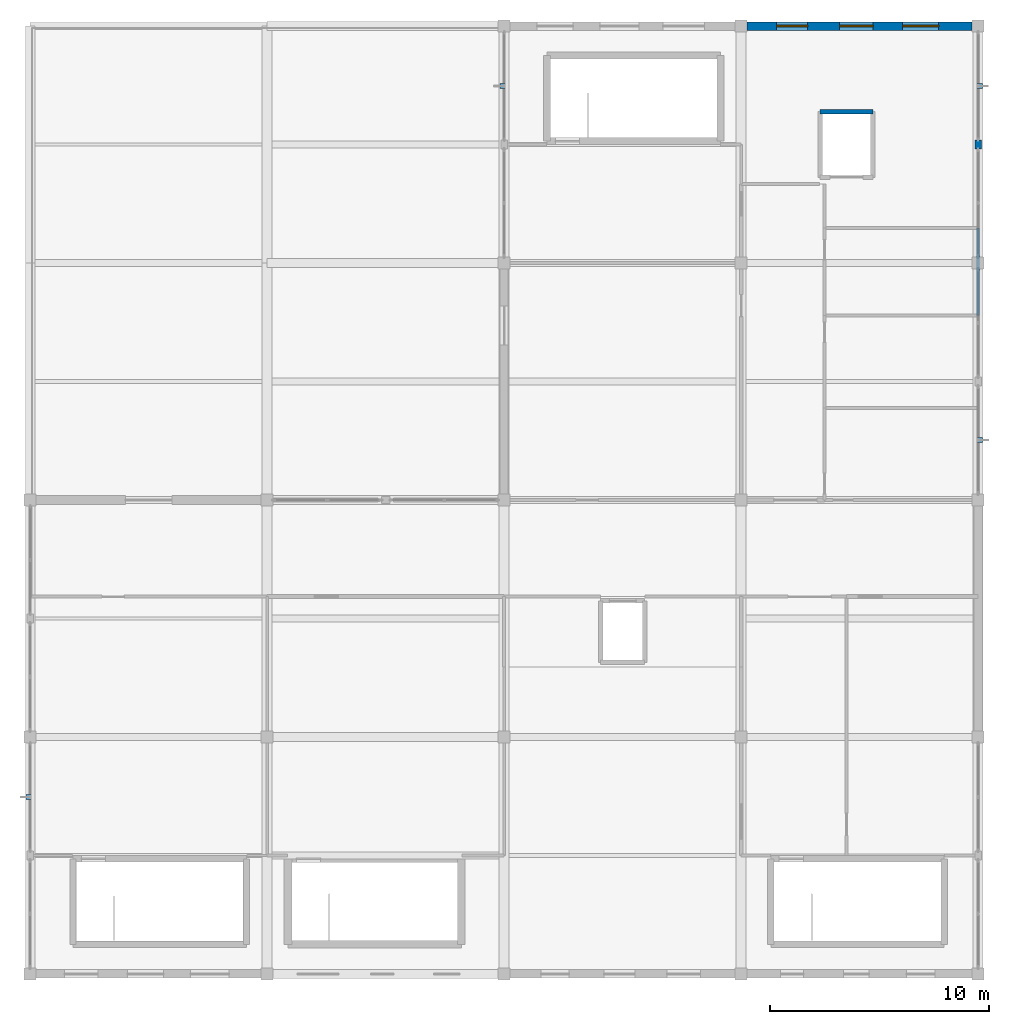
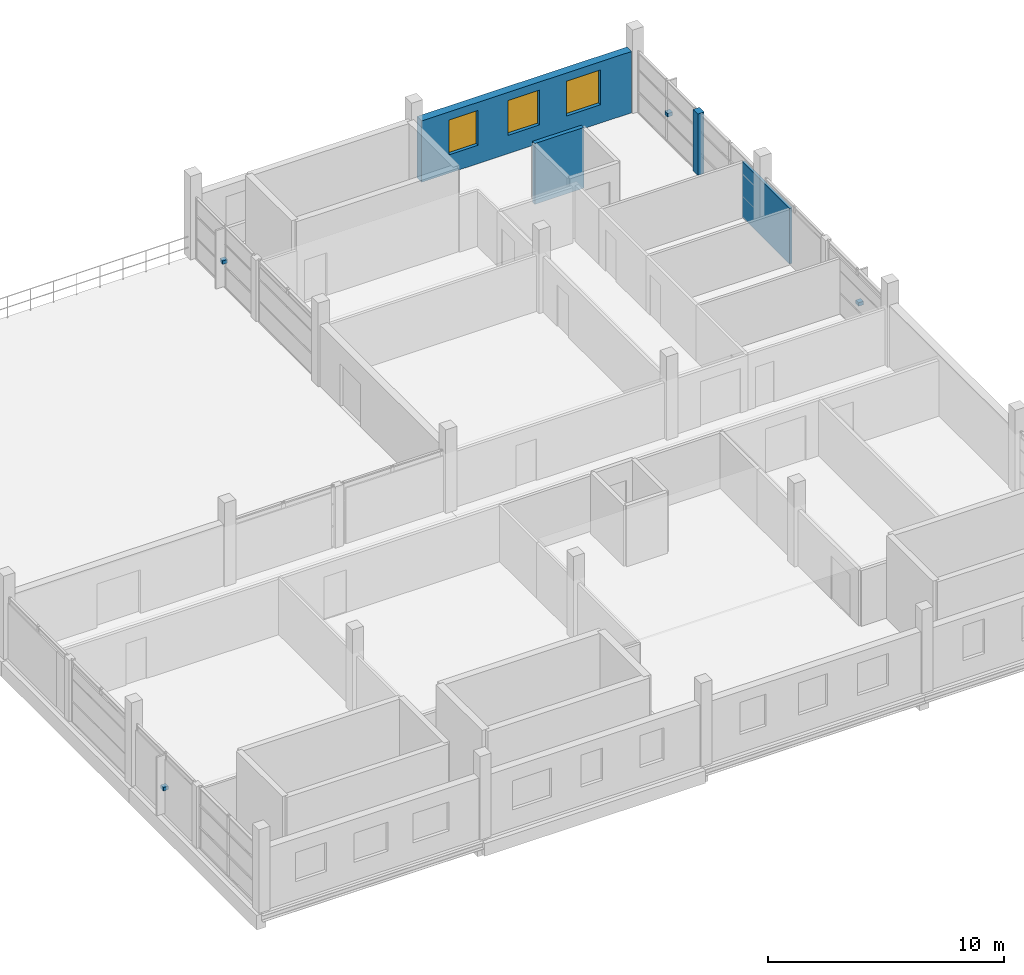
# One storey, part 14 of 15: 4 discrete accessories, 4 walls, 3 windows, 3 openings.
"""IFC4 building model written with IfcOpenShell, lengths in metres."""

from ifc_helpers import new_model, si_unit, direction, frame, frame_2d, origin, origin_2d, place, context, subcontext, project, spatial, rectangle, extrude, material, layer, layer_set, type_object, element, fill, save


model = new_model("IFC4")

# Units and contexts
model_context = context("Model", 3, precision=1e-05, world=origin(), true_north=direction((0.0, 1.0)))
body_context = subcontext(model_context, "Body", "Model", "MODEL_VIEW")
ifc_project = project(units=[si_unit("LENGTHUNIT", "METRE"), si_unit("AREAUNIT", "SQUARE_METRE"), si_unit("VOLUMEUNIT", "CUBIC_METRE"), si_unit("PLANEANGLEUNIT", "RADIAN"), si_unit("MASSUNIT", "GRAM", prefix="KILO")], contexts=[model_context])

# Site, building, storey
site_placement = place(None, origin())
site = spatial("IfcSite", under=ifc_project, at=site_placement, CompositionType="ELEMENT")
building_placement = place(site_placement, origin())
building = spatial("IfcBuilding", under=site, at=building_placement, Name="Zwinboog Wholesale Market", CompositionType="ELEMENT")
storey_placement = place(building_placement, frame((0.0, 0.0, 14.760009765625)))
storey = spatial("IfcBuildingStorey", under=building, at=storey_placement, Name="L03", CompositionType="ELEMENT", Elevation=14.760009765625)

# Wall, openings, windows
ifc_material_1 = material(Name="Precast concrete C45/55", Category="concrete")
ifc_layer_1 = layer(ifc_material_1, 0.389892578125)
ifc_layer_set_1 = layer_set([ifc_layer_1], Name="Precast concrete C45/55")
wall_type_1 = type_object("IfcWallType", Name="WT-EW-390", PredefinedType="STANDARD", material=ifc_layer_set_1)
wall_1_placement = place(storey_placement, frame((162.27001953125, 43.199951171875, 0.0), z_axis=(0.0, 0.0, 1.0), x_axis=(1.0, 0.0, 0.0)))
wall_1 = element("IfcWall", 1, at=wall_1_placement, inside=storey, type_object=wall_type_1, Name="EW-02 (WL-EW-L03-229)", PredefinedType="STANDARD", context=body_context, shape_type="SweptSolid", body=[
    extrude(rectangle(XDim=10.260009765625, YDim=0.389892578125, at=frame_2d((5.1298828125, 0.0))), origin(), (0.0, 0.0, 1.0), 3.169921875),
])
opening_1_placement = place(wall_1_placement, frame((1.344970703125, 0.0, 0.949951171875)))
opening_1 = element("IfcOpeningElement", 2, at=opening_1_placement, cuts=wall_1, Name="Opening WN-52", PredefinedType="OPENING", context=body_context, shape_type="SweptSolid", body=[
    extrude(rectangle(XDim=1.409912109375, YDim=1.800048828125, at=frame_2d((0.705078125, 0.89990234375))), frame((0.0, 0.204833984375, 0.0), z_axis=(0.0, -1.0, 0.0), x_axis=(1.0, 0.0, 0.0)), (0.0, 0.0, 1.0), 0.409912109375),
])
opening_2_placement = place(wall_1_placement, frame((4.215087890625, 0.0, 0.949951171875)))
opening_2 = element("IfcOpeningElement", 3, at=opening_2_placement, cuts=wall_1, Name="Opening WN-53", PredefinedType="OPENING", context=body_context, shape_type="SweptSolid", body=[
    extrude(rectangle(XDim=1.530029296875, YDim=1.800048828125, at=frame_2d((0.76513671875, 0.89990234375))), frame((0.0, 0.204833984375, 0.0), z_axis=(0.0, -1.0, 0.0), x_axis=(1.0, 0.0, 0.0)), (0.0, 0.0, 1.0), 0.409912109375),
])
opening_3_placement = place(wall_1_placement, frame((7.0849609375, 0.0, 0.949951171875)))
opening_3 = element("IfcOpeningElement", 4, at=opening_3_placement, cuts=wall_1, Name="Opening WN-54", PredefinedType="OPENING", context=body_context, shape_type="SweptSolid", body=[
    extrude(rectangle(XDim=1.64990234375, YDim=1.800048828125, at=frame_2d((0.824951171875, 0.89990234375))), frame((0.0, 0.204833984375, 0.0), z_axis=(0.0, -1.0, 0.0), x_axis=(1.0, 0.0, 0.0)), (0.0, 0.0, 1.0), 0.409912109375),
])
ifc_material_2 = material(Name="Thermally broken aluminium low-e window", Category="aluminium")
window_type_1 = type_object("IfcWindowType", Name="WNT-52", PartitioningType="SINGLE_PANEL", PredefinedType="WINDOW", material=ifc_material_2)
window_1_placement = place(opening_1_placement, origin())
window_1 = element("IfcWindow", 5, at=window_1_placement, inside=storey, type_object=window_type_1, Name="WN-52 (WIN-L03-0268)", OverallHeight=1.800048828125, OverallWidth=1.409912109375, PartitioningType="SINGLE_PANEL", PredefinedType="WINDOW", context=body_context, shape_type="SweptSolid", body=[
    extrude(rectangle(XDim=1.409912109375, YDim=1.800048828125, at=frame_2d((0.705078125, 0.89990234375))), frame((0.0, 0.030029296875, 0.0), z_axis=(0.0, -1.0, 0.0), x_axis=(1.0, 0.0, 0.0)), (0.0, 0.0, 1.0), 0.06005859375),
])
fill(opening_1, window_1)
window_type_2 = type_object("IfcWindowType", Name="WNT-53", PartitioningType="SINGLE_PANEL", PredefinedType="WINDOW", material=ifc_material_2)
window_2_placement = place(opening_2_placement, origin())
window_2 = element("IfcWindow", 6, at=window_2_placement, inside=storey, type_object=window_type_2, Name="WN-53 (WIN-L03-0269)", OverallHeight=1.800048828125, OverallWidth=1.530029296875, PartitioningType="SINGLE_PANEL", PredefinedType="WINDOW", context=body_context, shape_type="SweptSolid", body=[
    extrude(rectangle(XDim=1.530029296875, YDim=1.800048828125, at=frame_2d((0.76513671875, 0.89990234375))), frame((0.0, 0.030029296875, 0.0), z_axis=(0.0, -1.0, 0.0), x_axis=(1.0, 0.0, 0.0)), (0.0, 0.0, 1.0), 0.06005859375),
])
fill(opening_2, window_2)
window_type_3 = type_object("IfcWindowType", Name="WNT-54", PartitioningType="SINGLE_PANEL", PredefinedType="WINDOW", material=ifc_material_2)
window_3_placement = place(opening_3_placement, origin())
window_3 = element("IfcWindow", 7, at=window_3_placement, inside=storey, type_object=window_type_3, Name="WN-54 (WIN-L03-0270)", OverallHeight=1.800048828125, OverallWidth=1.64990234375, PartitioningType="SINGLE_PANEL", PredefinedType="WINDOW", context=body_context, shape_type="SweptSolid", body=[
    extrude(rectangle(XDim=1.64990234375, YDim=1.800048828125, at=frame_2d((0.824951171875, 0.89990234375))), frame((0.0, 0.030029296875, 0.0), z_axis=(0.0, -1.0, 0.0), x_axis=(1.0, 0.0, 0.0)), (0.0, 0.0, 1.0), 0.06005859375),
])
fill(opening_3, window_3)

# Walls
ifc_layer_2 = layer(ifc_material_1, 0.304931640625)
ifc_layer_set_2 = layer_set([ifc_layer_2], Name="Precast concrete C45/55")
wall_type_2 = type_object("IfcWallType", Name="WT-EW-305", PredefinedType="STANDARD", material=ifc_layer_set_2)
wall_2_placement = place(storey_placement, frame((172.800048828125, 37.60009765625, 0.0), z_axis=(0.0, 0.0, 1.0), x_axis=(0.0, 1.0, 0.0)))
element("IfcWall", 8, at=wall_2_placement, inside=storey, type_object=wall_type_2, Name="EW-07 (WL-PIER-L03-230)", PredefinedType="STANDARD", context=body_context, shape_type="SweptSolid", body=[
    extrude(rectangle(XDim=0.39990234375, YDim=0.304931640625, at=frame_2d((0.199951171875, 0.0))), origin(), (0.0, 0.0, 1.0), 3.169921875),
])
ifc_layer_3 = layer(ifc_material_1, 0.199951171875)
ifc_layer_set_3 = layer_set([ifc_layer_3], Name="Precast concrete C45/55")
wall_type_3 = type_object("IfcWallType", Name="WT-IW-200", PredefinedType="SOLIDWALL", material=ifc_layer_set_3)
wall_3_placement = place(storey_placement, frame((165.60009765625, 39.300048828125, 0.0), z_axis=(0.0, 0.0, 1.0), x_axis=(1.0, 0.0, 0.0)))
element("IfcWall", 9, at=wall_3_placement, inside=storey, type_object=wall_type_3, Name="IW-60 (WL-LSH-L03-266)", PredefinedType="SOLIDWALL", context=body_context, shape_type="SweptSolid", body=[
    extrude(rectangle(XDim=2.39990234375, YDim=0.199951171875, at=frame_2d((1.199951171875, 0.0))), origin(), (0.0, 0.0, 1.0), 3.139892578125),
])
ifc_material_3 = material(Name="Hygienic washable stud partition")
ifc_layer_4 = layer(ifc_material_3, 0.137939453125)
ifc_layer_set_4 = layer_set([ifc_layer_4], Name="Hygienic washable stud partition")
wall_type_4 = type_object("IfcWallType", Name="WT-PT-138", PredefinedType="PARTITIONING", material=ifc_layer_set_4)
wall_4_placement = place(storey_placement, frame((172.800048828125, 30.0, 0.0), z_axis=(0.0, 0.0, 1.0), x_axis=(0.0, 1.0, 0.0)))
element("IfcWall", 10, at=wall_4_placement, inside=storey, type_object=wall_type_4, Name="PW-03 (WL-IN-L03-0344)", PredefinedType="PARTITIONING", context=body_context, shape_type="SweptSolid", body=[
    extrude(rectangle(XDim=4.0, YDim=0.137939453125, at=frame_2d((2.0, 0.0))), origin(), (0.0, 0.0, 1.0), 2.869873046875),
])

# Discrete accessories
ifc_material_4 = material(Name="Steel S355", Category="steel")
discrete_accessory_type = type_object("IfcDiscreteAccessoryType", Name="ACC-BRK-S355", PredefinedType="BRACKET", material=ifc_material_4)
for number, where, z_axis, x_axis, name in (
    (11, (129.52490234375, 8.06494140625, 1.31005859375), (0.0, 0.0, 1.0), (1.0, 0.0, 0.0), "BK-01 (ACC-FBRK-047)"),
    (12, (151.125, 40.465087890625, 1.31005859375), (0.0, 0.0, 1.0), (1.0, 0.0, 0.0), "BK-01 (ACC-FBRK-048)"),
    (13, (172.889892578125, 24.3349609375, 1.31005859375), (0.0, 0.0, 1.0), (1.0, 0.0, 0.0), "BK-01 (ACC-FBRK-049)"),
    (14, (172.875, 40.465087890625, 1.31005859375), (0.0, 0.0, 1.0), (1.0, 0.0, 0.0), "BK-01 (ACC-FBRK-050)"),
):
    element("IfcDiscreteAccessory", number, at=place(storey_placement, frame(where, z_axis=z_axis, x_axis=x_axis)), inside=storey, type_object=discrete_accessory_type, Name=name, PredefinedType="BRACKET", context=body_context, shape_type="SweptSolid", body=[
        extrude(rectangle(XDim=0.239990234375, YDim=0.239990234375, at=origin_2d()), origin(), (0.0, 0.0, 1.0), 0.179931640625),
    ])

save(model, "model.ifc")
